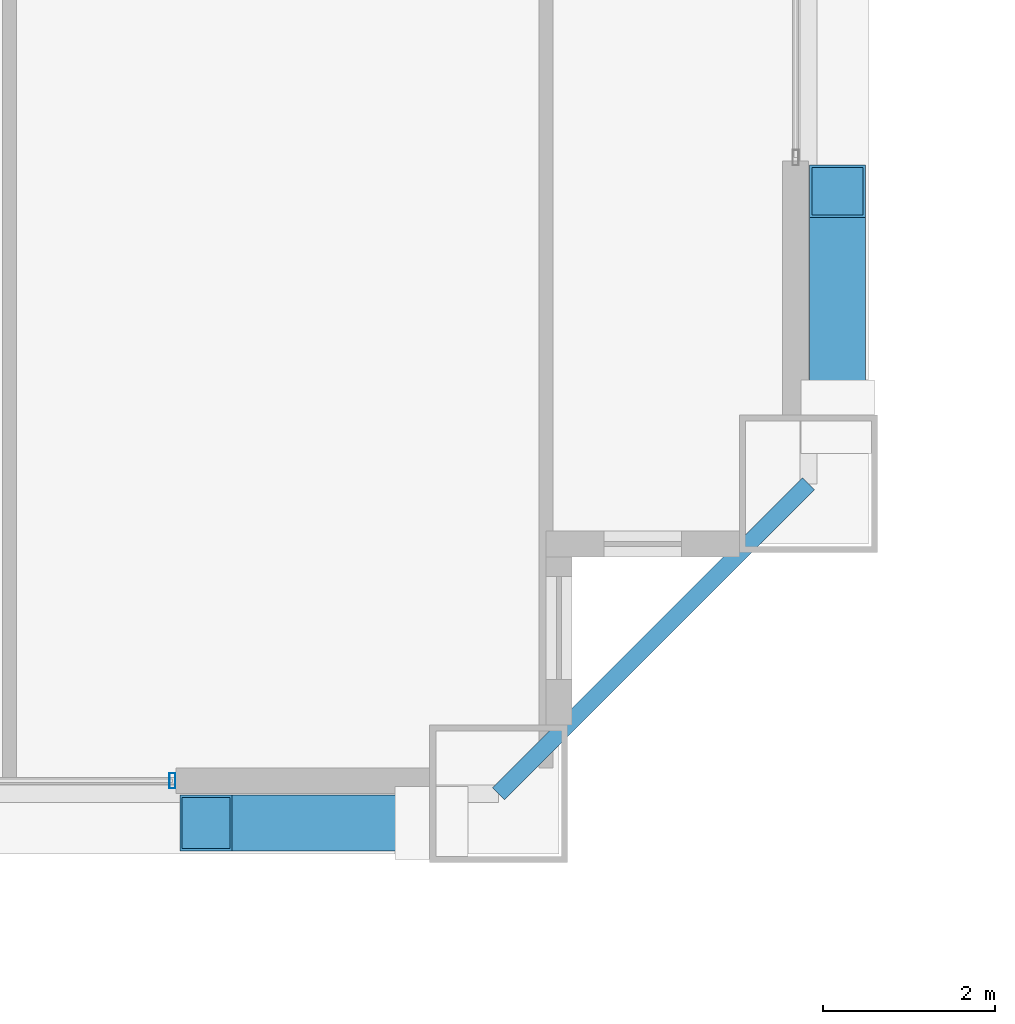
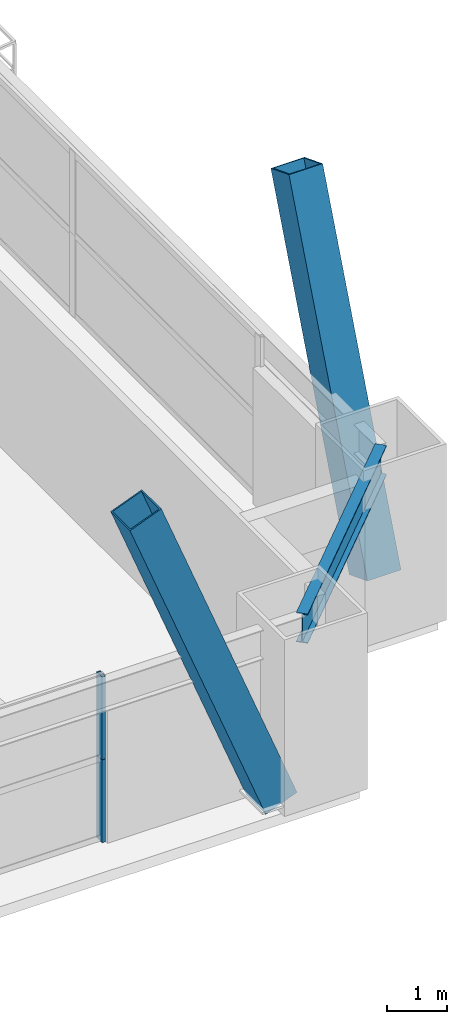
# One storey, part 16 of 43: 4 members, 1 beam, 1 element without a shape of its own.
"""IFC4 building model written with IfcOpenShell, lengths in metres."""

from ifc_helpers import new_model, si_unit, direction, frame, origin, origin_2d, place, context, subcontext, project, spatial, hollow_rectangle, i_section, extrude, source, transform, mapped, material, layer, layer_set, material_profile, profile_set, type_object, element, aggregate, save


model = new_model("IFC4")

# Units and contexts
model_context = context("Model", 3, precision=1e-05, world=origin(), true_north=direction((0.0, 1.0)))
body_context = subcontext(model_context, "Body", "Model", "MODEL_VIEW")
ifc_project = project(units=[si_unit("LENGTHUNIT", "METRE"), si_unit("AREAUNIT", "SQUARE_METRE"), si_unit("VOLUMEUNIT", "CUBIC_METRE"), si_unit("PLANEANGLEUNIT", "RADIAN"), si_unit("MASSUNIT", "GRAM", prefix="KILO"), si_unit("THERMODYNAMICTEMPERATUREUNIT", "KELVIN"), si_unit("POWERUNIT", "WATT")], contexts=[model_context])

# Site, building, storey
site_placement = place(None, origin())
site = spatial("IfcSite", under=ifc_project, at=site_placement, CompositionType="ELEMENT")
building_placement = place(site_placement, origin())
building = spatial("IfcBuilding", under=site, at=building_placement, Name="Yuzanri Waterfront Tower", CompositionType="ELEMENT")
storey_placement = place(building_placement, frame((0.0, 0.0, 159.60009765625)))
storey = spatial("IfcBuildingStorey", under=building, at=storey_placement, Name="L42", CompositionType="ELEMENT", Elevation=159.60009765625)

# Beam
ifc_material_1 = material(Name="Steel Q355B", Category="steel")
ifc_material_profile_1 = material_profile(ifc_material_1, i_section(OverallWidth=0.199951171875, OverallDepth=0.60009765625, WebThickness=0.010986328125, FlangeThickness=0.01708984375, at=origin_2d()), Name="HN 600x200x11x17")
ifc_profile_set_1 = profile_set([ifc_material_profile_1], Name="Steel Q355B")
beam_type = type_object("IfcBeamType", Name="Perimeter Spandrel Q355B HN 600x200", PredefinedType="SPANDREL", material=ifc_profile_set_1)
shared_shape_1 = source(origin(), body_context, "Body", "SweptSolid", [
    extrude(i_section(OverallWidth=0.199951171875, OverallDepth=0.60009765625, WebThickness=0.010986328125, FlangeThickness=0.01708984375, at=origin_2d()), origin(), (0.0, 0.0, 1.0), 5.09130859375),
])
beam_placement = place(storey_placement, frame((57.0, 2.199951171875, 3.079833984375), z_axis=(0.707106781187, 0.707106781187, 0.0), x_axis=(-0.707106781187, 0.707106781187, 0.0)))
element("IfcBeam", 1, at=beam_placement, inside=storey, type_object=beam_type, Name="L42 Perimeter Spandrel S3-E1", PredefinedType="SPANDREL", context=body_context, shape_type="MappedRepresentation", body=[
    mapped(shared_shape_1, transform((0.0, 0.0, 0.0), scale=1.0)),
])

# Members
ifc_material_2 = material(Name="Steel Q420GJC", Category="steel")
ifc_material_profile_2 = material_profile(ifc_material_2, hollow_rectangle(XDim=0.64990234375, YDim=0.64990234375, WallThickness=0.028076171875, at=origin_2d()), Name="RHS 650x650x28")
ifc_profile_set_2 = profile_set([ifc_material_profile_2], Name="Steel Q420GJC")
member_type_1 = type_object("IfcMemberType", Name="Mega Brace Lower Q420GJC RHS 650x650x28", PredefinedType="BRACE", material=ifc_profile_set_2)
shared_shape_2 = source(origin(), body_context, "Body", "SweptSolid", [
    extrude(hollow_rectangle(XDim=0.64990234375, YDim=0.64990234375, WallThickness=0.028076171875, at=origin_2d()), origin(), (0.0, 0.0, 1.0), 7.19384765625),
])
for number, where, z_axis, x_axis, name in (
    (2, (56.219970703125, 1.860107421875, 0.179931640625), (-0.36417668996, 0.0, 0.9313298763), (0.0, -1.0, 0.0), "L42-L43 Perimeter Mega-Brace S-R"),
    (3, (60.93994140625, 6.580078125, 0.179931640625), (0.0, 0.36417668996, 0.9313298763), (-1.0, 0.0, 0.0), "L42-L43 Perimeter Mega-Brace E-L"),
):
    element("IfcMember", number, at=place(storey_placement, frame(where, z_axis=z_axis, x_axis=x_axis)), inside=storey, type_object=member_type_1, Name=name, PredefinedType="BRACE", context=body_context, shape_type="MappedRepresentation", body=[
        mapped(shared_shape_2, transform((0.0, 0.0, 0.0), scale=1.0)),
    ])

# Curtain wall, members
ifc_material_3 = material(Name="Anodized Architectural Bronze", Category="metal")
ifc_layer = layer(ifc_material_3, 0.159912109375)
ifc_layer_set = layer_set([ifc_layer], Name="Anodized Architectural Bronze")
curtain_wall_type = type_object("IfcCurtainWallType", Name="Anodized Bronze Hotel Upper-Tier Solar-Control Unitized Curtain Wall 7800", PredefinedType="NOTDEFINED", material=ifc_layer_set)
curtain_wall_placement = place(storey_placement, origin())
curtain_wall = element("IfcCurtainWall", 4, at=curtain_wall_placement, inside=storey, type_object=curtain_wall_type, Name="L42 Curtain Wall CW-L42-SR", PredefinedType="NOTDEFINED")
ifc_material_4 = material(Name="Anodized Architectural Bronze", Category="metal")
ifc_material_profile_3 = material_profile(ifc_material_4, hollow_rectangle(XDim=0.070068359375, YDim=0.179931640625, WallThickness=0.00390625, at=origin_2d()), Name="CWM 70x180")
ifc_profile_set_3 = profile_set([ifc_material_profile_3], Name="Anodized Architectural Bronze")
member_type_2 = type_object("IfcMemberType", Name="Anodized Bronze Standard Curtain-Wall Mullion 70x180", PredefinedType="MULLION", material=ifc_profile_set_3)
shared_shape_3 = source(origin(), body_context, "Body", "SweptSolid", [
    extrude(hollow_rectangle(XDim=0.070068359375, YDim=0.179931640625, WallThickness=0.00390625, at=origin_2d()), origin(), (0.0, 0.0, 1.0), 1.68798828125),
])
member_1_placement = place(storey_placement, frame((53.2099609375, 2.35009765625, 0.0), z_axis=(0.0, 0.0, 1.0), x_axis=(1.0, 0.0, 0.0)))
member_1 = element("IfcMember", 5, at=member_1_placement, type_object=member_type_2, Name="CW-L42-SR Lower Mullion 02", PredefinedType="MULLION", context=body_context, shape_type="MappedRepresentation", body=[
    mapped(shared_shape_3, transform((0.0, 0.0, 0.0), scale=1.0)),
])
member_2_placement = place(storey_placement, frame((53.2099609375, 2.35009765625, 1.69189453125), z_axis=(0.0, 0.0, 1.0), x_axis=(1.0, 0.0, 0.0)))
member_2 = element("IfcMember", 6, at=member_2_placement, type_object=member_type_2, Name="CW-L42-SR Upper Mullion 02", PredefinedType="MULLION", context=body_context, shape_type="MappedRepresentation", body=[
    mapped(shared_shape_3, transform((0.0, 0.0, 0.0), scale=1.0)),
])
aggregate(curtain_wall, [member_1, member_2])

save(model, "model.ifc")
